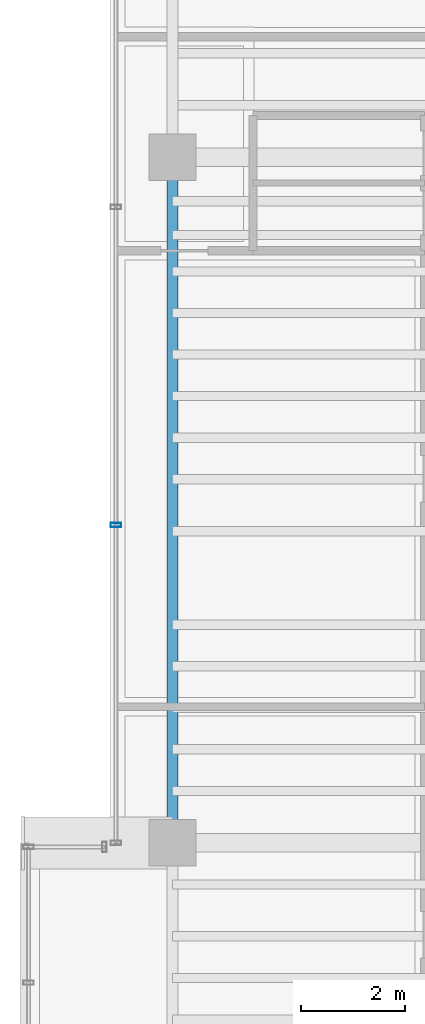
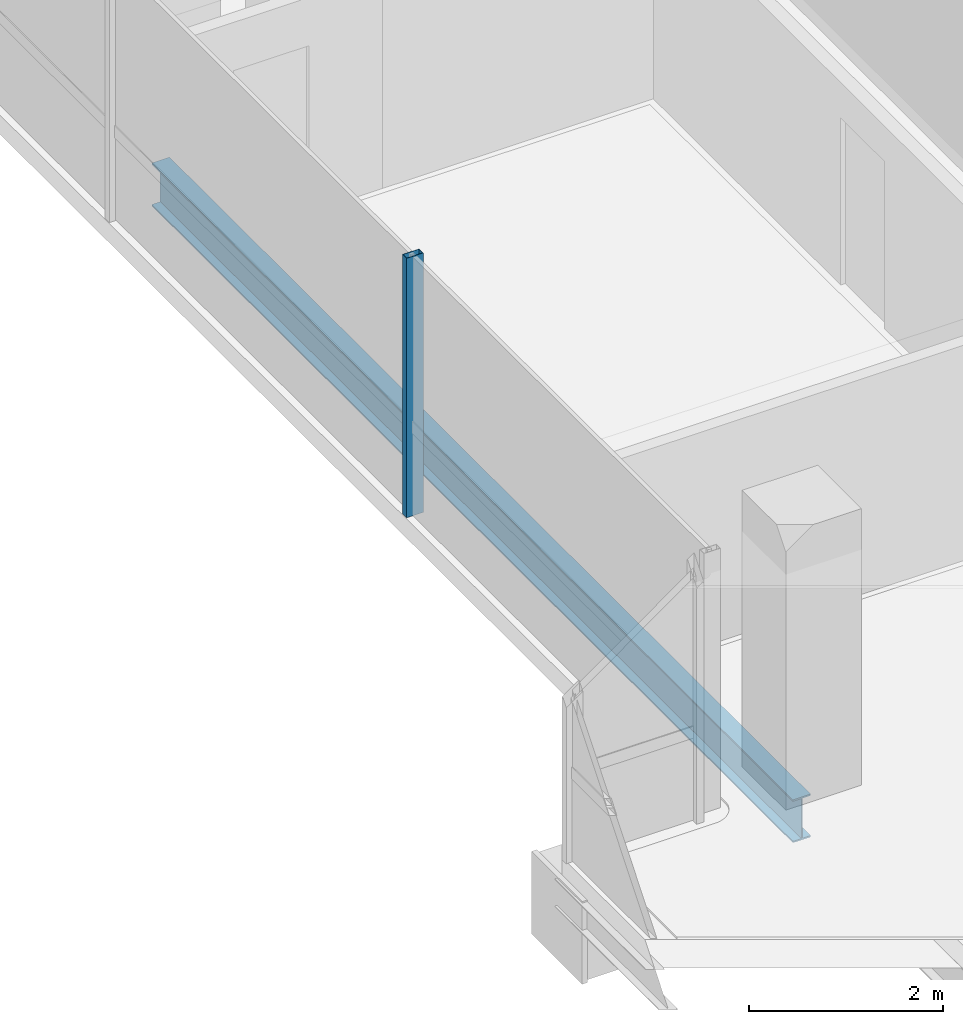
# One storey, part 7 of 22: 1 beam, 1 member, 1 element without a shape of its own.
"""IFC4 building model written with IfcOpenShell, lengths in metres."""

from ifc_helpers import new_model, si_unit, direction, frame, origin, origin_2d, place, context, subcontext, project, spatial, hollow_rectangle, i_section, extrude, source, transform, mapped, material, material_profile, profile_set, type_object, element, aggregate, save


model = new_model("IFC4")

# Units and contexts
model_context = context("Model", 3, precision=1e-05, world=origin(), true_north=direction((0.0, 1.0)))
body_context = subcontext(model_context, "Body", "Model", "MODEL_VIEW")
ifc_project = project(units=[si_unit("LENGTHUNIT", "METRE"), si_unit("AREAUNIT", "SQUARE_METRE"), si_unit("VOLUMEUNIT", "CUBIC_METRE"), si_unit("PLANEANGLEUNIT", "RADIAN"), si_unit("MASSUNIT", "GRAM", prefix="KILO")], contexts=[model_context])

# Site, building, storey
site_placement = place(None, origin())
site = spatial("IfcSite", under=ifc_project, at=site_placement, CompositionType="ELEMENT")
building_placement = place(site_placement, origin())
building = spatial("IfcBuilding", under=site, at=building_placement, Name="Valdorenza Pilgrim Sanctuary Tower", CompositionType="ELEMENT")
storey_placement = place(building_placement, frame((0.0, 0.0, 233.5)))
storey = spatial("IfcBuildingStorey", under=building, at=storey_placement, Name="L60", CompositionType="ELEMENT", Elevation=233.5)

# Beam
ifc_material_1 = material(Name="Steel ASTM A992 Grade 50", Category="steel")
ifc_material_profile_1 = material_profile(ifc_material_1, i_section(OverallWidth=0.2109375, OverallDepth=0.5390625, WebThickness=0.01171875, FlangeThickness=0.018798828125, at=origin_2d()), Name="W21X73")
ifc_profile_set_1 = profile_set([ifc_material_profile_1], Name="Steel ASTM A992 Grade 50")
beam_type = type_object("IfcBeamType", Name="STR-BM-SPN-W21B", PredefinedType="SPANDREL", material=ifc_profile_set_1)
shared_shape_1 = source(origin(), body_context, "Body", "SweptSolid", [
    extrude(i_section(OverallWidth=0.2109375, OverallDepth=0.5390625, WebThickness=0.01171875, FlangeThickness=0.018798828125, at=origin_2d()), origin(), (0.0, 0.0, 1.0), 13.2001953125),
])
beam_placement = place(storey_placement, frame((-29.800048828125, -2.60009765625, -0.509521484375), z_axis=(0.0, 1.0, 0.0), x_axis=(-1.0, 0.0, 0.0)))
element("IfcBeam", 1, at=beam_placement, inside=storey, type_object=beam_type, Name="L60 Spandrel Beam WA-W-M0N1", PredefinedType="SPANDREL", context=body_context, shape_type="MappedRepresentation", body=[
    mapped(shared_shape_1, transform((0.0, 0.0, 0.0), x_axis=(1.0, 0.0, 0.0), y_axis=(0.0, 1.0, 0.0), z_axis=(0.0, 0.0, 1.0), scale=1.0)),
])

# Curtain wall, member
ifc_material_2 = material(Name="Curtain-wall IGU glazing", Category="glass")
curtain_wall_type = type_object("IfcCurtainWallType", Name="CW-SYS-02", PredefinedType="NOTDEFINED", material=ifc_material_2)
curtain_wall_placement = place(storey_placement, origin())
curtain_wall = element("IfcCurtainWall", 2, at=curtain_wall_placement, inside=storey, type_object=curtain_wall_type, Name="L60 Curtain Wall CW-L60-1-1S2", PredefinedType="NOTDEFINED")
ifc_material_3 = material(Name="Anodised aluminium AW-6060", Category="aluminium")
ifc_material_profile_2 = material_profile(ifc_material_3, hollow_rectangle(XDim=0.0849609375, YDim=0.199951171875, WallThickness=0.0048828125, at=origin_2d()), Name="ALU-M 200x85x5")
ifc_profile_set_2 = profile_set([ifc_material_profile_2], Name="Anodised aluminium AW-6060")
member_type = type_object("IfcMemberType", Name="CW-MUL-02", PredefinedType="MULLION", material=ifc_profile_set_2)
shared_shape_2 = source(origin(), body_context, "Body", "SweptSolid", [
    extrude(hollow_rectangle(XDim=0.0849609375, YDim=0.199951171875, WallThickness=0.0048828125, at=origin_2d()), origin(), (0.0, 0.0, 1.0), 3.260009765625),
])
member_placement = place(storey_placement, frame((-30.889892578125, 3.519287109375, 0.0), z_axis=(0.0, 0.0, 1.0), x_axis=(0.0, 1.0, 0.0)))
member = element("IfcMember", 3, at=member_placement, type_object=member_type, Name="CW-L60-1-1S2 Mullion 2", PredefinedType="MULLION", context=body_context, shape_type="MappedRepresentation", body=[
    mapped(shared_shape_2, transform((0.0, 0.0, 0.0), x_axis=(1.0, 0.0, 0.0), y_axis=(0.0, 1.0, 0.0), z_axis=(0.0, 0.0, 1.0), scale=1.0)),
])
aggregate(curtain_wall, [member])

save(model, "model.ifc")
